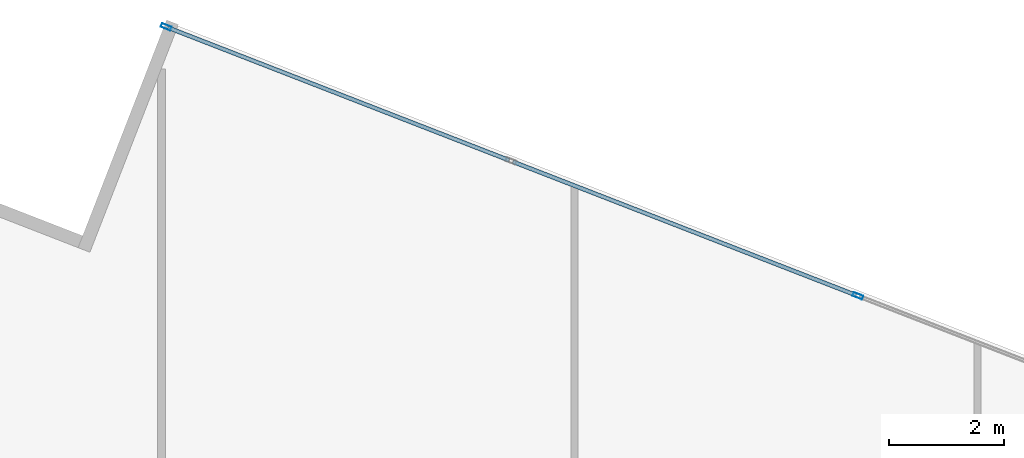
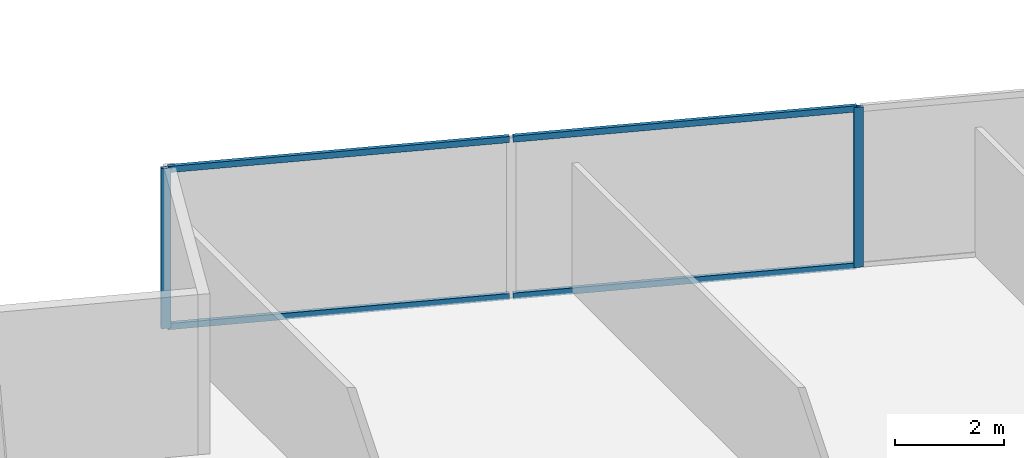
# One storey, part 17 of 26: 6 members, 1 element without a shape of its own.
"""IFC4 building model written with IfcOpenShell, lengths in metres."""

from ifc_helpers import new_model, si_unit, direction, frame, origin, origin_2d, place, context, subcontext, project, spatial, hollow_rectangle, extrude, source, transform, mapped, material, material_profile, profile_set, type_object, type_shapes, element, aggregate, save


model = new_model("IFC4")

# Units and contexts
model_context = context("Model", 3, precision=1e-05, world=origin(), true_north=direction((0.0, 1.0)))
body_context = subcontext(model_context, "Body", "Model", "MODEL_VIEW")
ifc_project = project(units=[si_unit("LENGTHUNIT", "METRE"), si_unit("AREAUNIT", "SQUARE_METRE"), si_unit("VOLUMEUNIT", "CUBIC_METRE"), si_unit("PLANEANGLEUNIT", "RADIAN"), si_unit("MASSUNIT", "GRAM", prefix="KILO")], contexts=[model_context])

# Site, building, storey
site_placement = place(None, origin())
site = spatial("IfcSite", under=ifc_project, at=site_placement, CompositionType="ELEMENT")
building_placement = place(site_placement, origin())
building = spatial("IfcBuilding", under=site, at=building_placement, Name="Krantzveldt Concourse Tower", CompositionType="ELEMENT")
storey_placement = place(building_placement, frame((0.0, 0.0, 137.449951171875)))
storey = spatial("IfcBuildingStorey", under=building, at=storey_placement, Name="L33", CompositionType="ELEMENT", Elevation=137.449951171875)

# Curtain wall, members
ifc_material = material(Name="Anodised aluminium 6063-T6", Category="aluminium")
curtain_wall_type = type_object("IfcCurtainWallType", Name="CW2", PredefinedType="USERDEFINED", material=ifc_material)
curtain_wall_placement = place(storey_placement, origin())
curtain_wall = element("IfcCurtainWall", 1, at=curtain_wall_placement, inside=storey, type_object=curtain_wall_type, Name="CW-L33-F14", ObjectType="UNITISED CURTAIN WALL", PredefinedType="USERDEFINED")
ifc_material_profile_1 = material_profile(ifc_material, hollow_rectangle(XDim=0.070068359375, YDim=0.139892578125, WallThickness=0.0048828125, at=origin_2d()), Name="Anodised aluminium 6063-T6", Category="aluminium")
ifc_profile_set_1 = profile_set([ifc_material_profile_1], Name="Anodised aluminium 6063-T6 - ALU-TRAN 140x70x5")
member_type_1 = type_object("IfcMemberType", Name="CW-TRN-150", PredefinedType="USERDEFINED", material=ifc_profile_set_1)
shared_shape_1 = source(origin(), body_context, "Body", "SweptSolid", [
    extrude(hollow_rectangle(XDim=0.070068359375, YDim=0.139892578125, WallThickness=0.0048828125, at=origin_2d()), origin(), (0.0, 0.0, 1.0), 6.396728515625),
])
member_1_placement = place(storey_placement, frame((38.388916015625, 50.781494140625, 0.03515625), z_axis=(-0.932013266299, 0.362424159573, 0.0), x_axis=(-0.362424159573, -0.932013266299, 0.0)))
member_1 = element("IfcMember", 2, at=member_1_placement, type_object=member_type_1, Name="CW-Z12 transom 5.1", ObjectType="TRANSOM", PredefinedType="USERDEFINED", context=body_context, shape_type="MappedRepresentation", body=[
    mapped(shared_shape_1, transform((0.0, 0.0, 0.0), x_axis=(1.0, 0.0, 0.0), y_axis=(0.0, 1.0, 0.0), z_axis=(0.0, 0.0, 1.0), scale=1.0)),
])
member_2_placement = place(storey_placement, frame((38.388916015625, 50.781494140625, 3.56494140625), z_axis=(-0.932013266299, 0.362424159573, 0.0), x_axis=(-0.362424159573, -0.932013266299, 0.0)))
member_2 = element("IfcMember", 3, at=member_2_placement, type_object=member_type_1, Name="CW-Z12 transom 5.2", ObjectType="TRANSOM", PredefinedType="USERDEFINED", context=body_context, shape_type="MappedRepresentation", body=[
    mapped(shared_shape_1, transform((0.0, 0.0, 0.0), x_axis=(1.0, 0.0, 0.0), y_axis=(0.0, 1.0, 0.0), z_axis=(0.0, 0.0, 1.0), scale=1.0)),
])
shared_shape_2 = source(origin(), body_context, "Body", "SweptSolid", [
    extrude(hollow_rectangle(XDim=0.070068359375, YDim=0.139892578125, WallThickness=0.0048828125, at=origin_2d()), origin(), (0.0, 0.0, 1.0), 6.36181640625),
])
type_shapes(member_type_1, [shared_shape_1, shared_shape_2])
member_3_placement = place(storey_placement, frame((32.36181640625, 53.125244140625, 0.03515625), z_axis=(-0.932011873383, 0.362427741589, 0.0), x_axis=(-0.362427741589, -0.932011873383, 0.0)))
member_3 = element("IfcMember", 4, at=member_3_placement, type_object=member_type_1, Name="CW-Z12 transom 6.1", ObjectType="TRANSOM", PredefinedType="USERDEFINED", context=body_context, shape_type="MappedRepresentation", body=[
    mapped(shared_shape_2, transform((0.0, 0.0, 0.0), x_axis=(1.0, 0.0, 0.0), y_axis=(0.0, 1.0, 0.0), z_axis=(0.0, 0.0, 1.0), scale=1.0)),
])
member_4_placement = place(storey_placement, frame((32.36181640625, 53.125244140625, 3.56494140625), z_axis=(-0.932011873383, 0.362427741589, 0.0), x_axis=(-0.362427741589, -0.932011873383, 0.0)))
member_4 = element("IfcMember", 5, at=member_4_placement, type_object=member_type_1, Name="CW-Z12 transom 6.2", ObjectType="TRANSOM", PredefinedType="USERDEFINED", context=body_context, shape_type="MappedRepresentation", body=[
    mapped(shared_shape_2, transform((0.0, 0.0, 0.0), x_axis=(1.0, 0.0, 0.0), y_axis=(0.0, 1.0, 0.0), z_axis=(0.0, 0.0, 1.0), scale=1.0)),
])
ifc_material_profile_2 = material_profile(ifc_material, hollow_rectangle(XDim=0.070068359375, YDim=0.179931640625, WallThickness=0.0048828125, at=origin_2d()), Name="Anodised aluminium 6063-T6", Category="aluminium")
ifc_profile_set_2 = profile_set([ifc_material_profile_2], Name="Anodised aluminium 6063-T6 - ALU-MULL 180x70x5")
member_type_2 = type_object("IfcMemberType", Name="CW-MUL-180", PredefinedType="MULLION", material=ifc_profile_set_2)
shared_shape_3 = source(origin(), body_context, "Body", "SweptSolid", [
    extrude(hollow_rectangle(XDim=0.070068359375, YDim=0.179931640625, WallThickness=0.0048828125, at=origin_2d()), origin(), (0.0, 0.0, 1.0), 3.60009765625),
])
type_shapes(member_type_2, [shared_shape_3])
member_5_placement = place(storey_placement, frame((38.42138671875, 50.768798828125, 0.0), z_axis=(0.0, 0.0, 1.0), x_axis=(-0.362437952917, -0.93200790248, 0.0)))
member_5 = element("IfcMember", 6, at=member_5_placement, type_object=member_type_2, Name="CW-Z12 mullion 5", PredefinedType="MULLION", context=body_context, shape_type="MappedRepresentation", body=[
    mapped(shared_shape_3, transform((0.0, 0.0, 0.0), x_axis=(1.0, 0.0, 0.0), y_axis=(0.0, 1.0, 0.0), z_axis=(0.0, 0.0, 1.0), scale=1.0)),
])
member_6_placement = place(storey_placement, frame((26.400146484375, 55.443603515625, 0.0), z_axis=(0.0, 0.0, 1.0), x_axis=(-0.362437952917, -0.93200790248, 0.0)))
member_6 = element("IfcMember", 7, at=member_6_placement, type_object=member_type_2, Name="CW-Z12 mullion 7", PredefinedType="MULLION", context=body_context, shape_type="MappedRepresentation", body=[
    mapped(shared_shape_3, transform((0.0, 0.0, 0.0), x_axis=(1.0, 0.0, 0.0), y_axis=(0.0, 1.0, 0.0), z_axis=(0.0, 0.0, 1.0), scale=1.0)),
])
aggregate(curtain_wall, [member_5, member_6, member_1, member_2, member_3, member_4])

save(model, "model.ifc")
